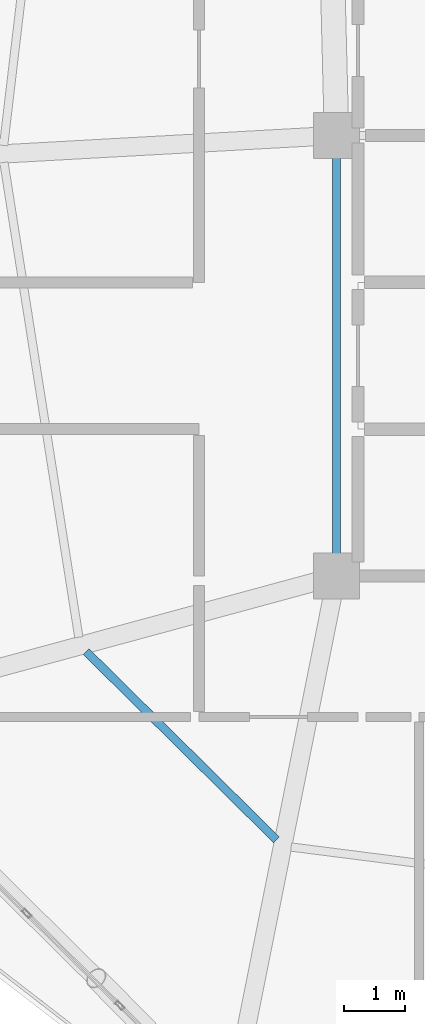
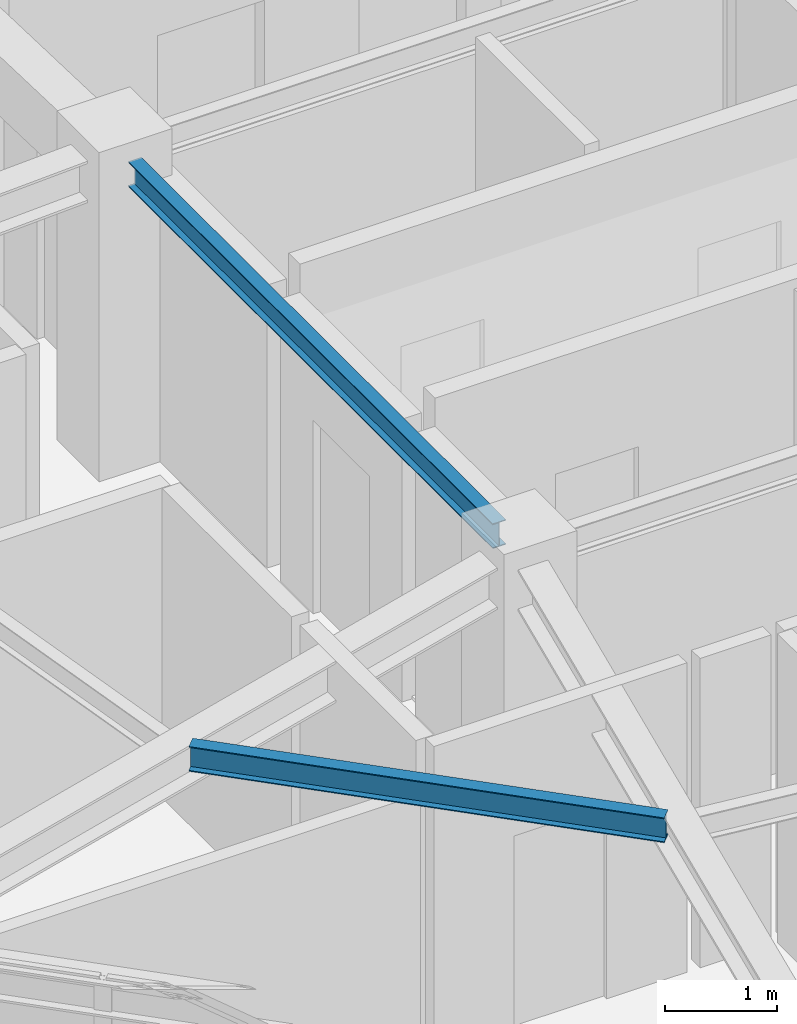
# One storey, part 5 of 26: 2 beams.
"""IFC4 building model written with IfcOpenShell, lengths in metres."""

from ifc_helpers import new_model, si_unit, direction, frame, origin, origin_2d, place, context, subcontext, project, spatial, i_section, extrude, material, material_profile, profile_set, type_object, element, save


model = new_model("IFC4")

# Units and contexts
model_context = context("Model", 3, precision=1e-05, world=origin(), true_north=direction((0.0, 1.0)))
body_context = subcontext(model_context, "Body", "Model", "MODEL_VIEW")
ifc_project = project(units=[si_unit("LENGTHUNIT", "METRE"), si_unit("AREAUNIT", "SQUARE_METRE"), si_unit("VOLUMEUNIT", "CUBIC_METRE"), si_unit("PLANEANGLEUNIT", "RADIAN"), si_unit("MASSUNIT", "GRAM", prefix="KILO")], contexts=[model_context])

# Site, building, storey
site_placement = place(None, origin())
site = spatial("IfcSite", under=ifc_project, at=site_placement, CompositionType="ELEMENT")
building_placement = place(site_placement, origin())
building = spatial("IfcBuilding", under=site, at=building_placement, Name="Varnakorn Sky Granary", CompositionType="ELEMENT")
storey_placement = place(building_placement, frame((0.0, 0.0, 270.60009765625)))
storey = spatial("IfcBuildingStorey", under=building, at=storey_placement, Name="L69", CompositionType="ELEMENT", Elevation=270.60009765625)

# Beams
ifc_material = material(Name="Steel S355JR", Category="steel")
ifc_material_profile = material_profile(ifc_material, i_section(OverallWidth=0.135009765625, OverallDepth=0.27001953125, WebThickness=0.006591796875, FlangeThickness=0.01025390625, at=origin_2d()), Name="IPE 270")
ifc_profile_set = profile_set([ifc_material_profile], Name="Steel S355JR")
beam_type = type_object("IfcBeamType", Name="BM-SEC-Z5", PredefinedType="BEAM", material=ifc_profile_set)
beam_1_placement = place(storey_placement, frame((-6.43896484375, -7.835205078125, 3.224853515625), z_axis=(0.711004130927, -0.703187831098, 0.0), x_axis=(0.703187831098, 0.711004130927, 0.0)))
element("IfcBeam", 1, at=beam_1_placement, inside=storey, type_object=beam_type, Name="Secondary Floor Chord Beam MSB08 L69", PredefinedType="BEAM", context=body_context, shape_type="SweptSolid", body=[
    extrude(i_section(OverallWidth=0.135009765625, OverallDepth=0.27001953125, WebThickness=0.006591796875, FlangeThickness=0.01025390625, at=origin_2d()), origin(), (0.0, 0.0, 1.0), 4.372802734375),
])
beam_2_placement = place(storey_placement, frame((-2.35009765625, 0.2451171875, 3.224853515625), z_axis=(0.0, -1.0, 0.0), x_axis=(1.0, 0.0, 0.0)))
element("IfcBeam", 2, at=beam_2_placement, inside=storey, type_object=beam_type, Name="Core Spine Framing Beam 3 L69", PredefinedType="BEAM", context=body_context, shape_type="SweptSolid", body=[
    extrude(i_section(OverallWidth=0.135009765625, OverallDepth=0.27001953125, WebThickness=0.006591796875, FlangeThickness=0.01025390625, at=origin_2d()), origin(), (0.0, 0.0, 1.0), 6.490234375),
])

save(model, "model.ifc")
